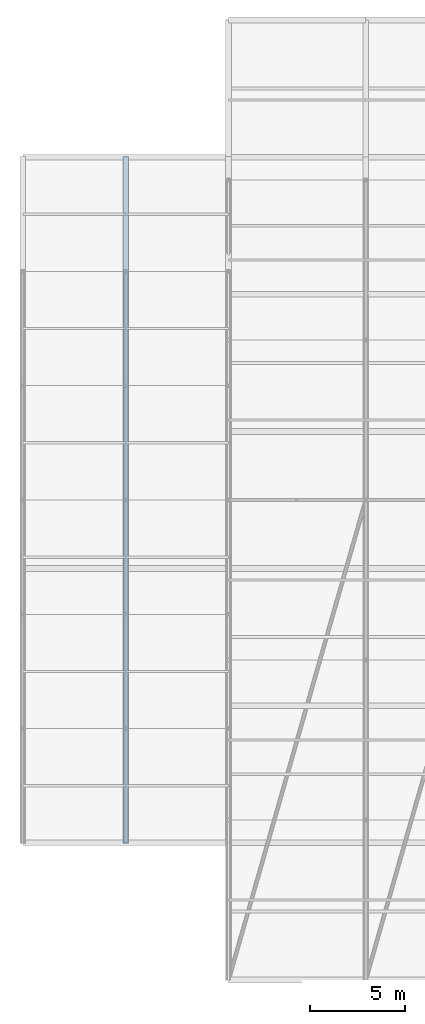
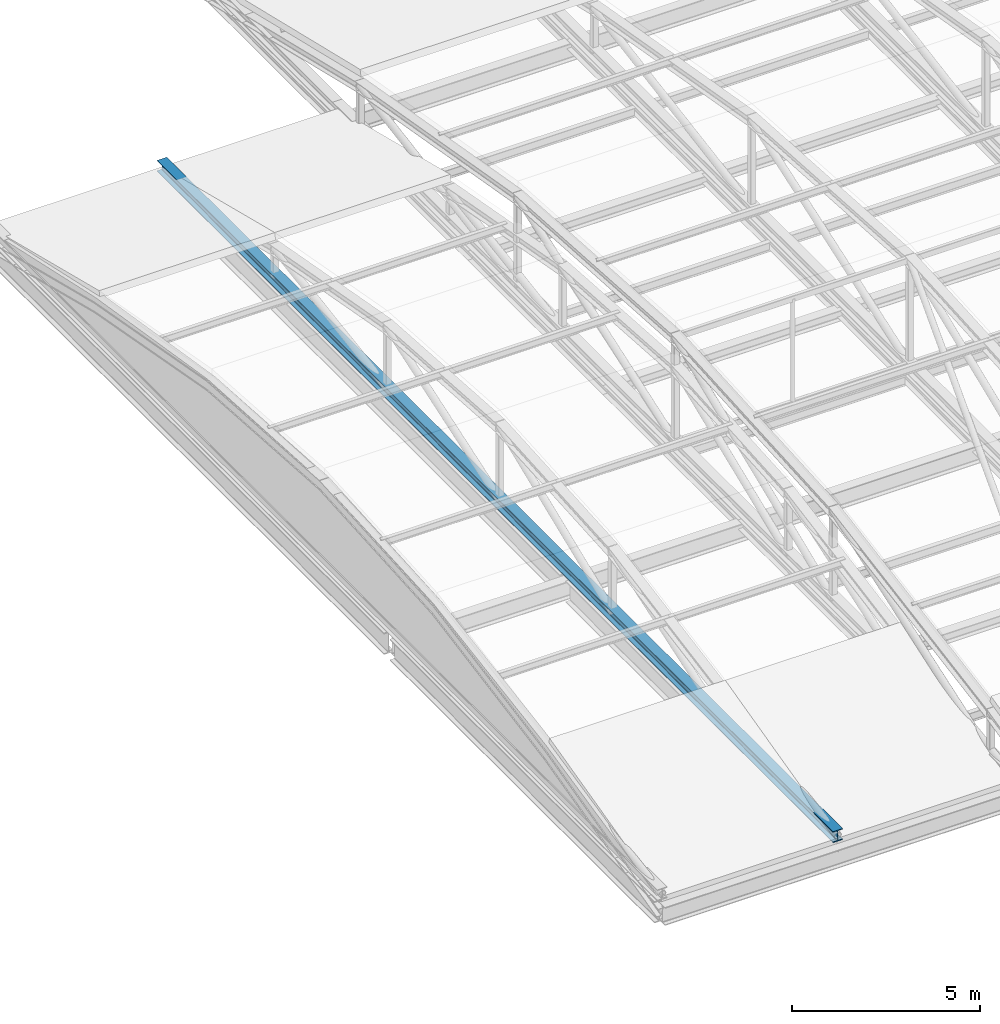
# One storey, part 24 of 76: 1 member.
"""IFC4 building model written with IfcOpenShell, lengths in metres."""

import ifcopenshell
import ifcopenshell.guid

model = None  # the IFC model being written
_history = None  # IfcOwnerHistory: only IFC2X3 demands one
_inside = {}  # id of a spatial element -> (the spatial element, [elements in it])
_under = {}  # id of a project, library or spatial element -> (it, [spatial elements below it])
_declared = {}  # id of a project -> (the project, [libraries it declares])
_typed = {}  # id of a type object -> (the type object, [elements of that type])
_made_of = {}  # id of a material, layer set ... -> (it, [elements and type objects made of it])


def new_model(schema):
    """Start an empty IFC model of exactly this schema.

    Asked for "IFC4X3", IfcOpenShell would pick the latest addendum, in which some entities
    have other attributes; the version numbers below select the first issue.
    IFC2X3 requires an IfcOwnerHistory on every rooted entity: one is made here for all.
    """
    global model, _history
    if schema == "IFC4X3":
        model = ifcopenshell.file(schema_version=(4, 3, 0, 0))
    else:
        model = ifcopenshell.file(schema=schema)
    _inside.clear()
    _under.clear()
    _declared.clear()
    _typed.clear()
    _made_of.clear()
    _history = None
    if model.schema == "IFC2X3":
        org = make("IfcOrganization", Name="unknown")
        user = make(
            "IfcPersonAndOrganization",
            ThePerson=make("IfcPerson", FamilyName="unknown"),
            TheOrganization=org,
        )
        app = make(
            "IfcApplication",
            ApplicationDeveloper=org,
            Version="unknown",
            ApplicationFullName="unknown",
            ApplicationIdentifier="unknown",
        )
        _history = make(
            "IfcOwnerHistory",
            OwningUser=user,
            OwningApplication=app,
            ChangeAction="ADDED",
            CreationDate=0,
        )
    return model


def make(cls, **values):
    """One entity of the class cls with the attributes given. An attribute that is None is left unset."""
    return model.create_entity(
        cls, **{name: value for name, value in values.items() if value is not None}
    )


def rooted(cls, **values):
    """An entity with a GlobalId (a new one), such as an element, a storey or a relation."""
    return make(cls, GlobalId=ifcopenshell.guid.new(), OwnerHistory=_history, **values)


def si_unit(unit_type, name, prefix=None):
    """IfcSIUnit, for example si_unit("LENGTHUNIT", "METRE", prefix="MILLI")."""
    return make("IfcSIUnit", UnitType=unit_type, Prefix=prefix, Name=name)


def assignment(units):
    """IfcUnitAssignment: the units of a project."""
    return None if units is None else make("IfcUnitAssignment", Units=units)


def point(xyz):
    """IfcCartesianPoint."""
    return None if xyz is None else make("IfcCartesianPoint", Coordinates=xyz)


def direction(xyz):
    """IfcDirection."""
    return None if xyz is None else make("IfcDirection", DirectionRatios=xyz)


def frame(location, z_axis=None, x_axis=None):
    """IfcAxis2Placement3D, a coordinate frame: its origin and axes. An axis left out is left unset."""
    return make(
        "IfcAxis2Placement3D",
        Location=point(location),
        Axis=direction(z_axis),
        RefDirection=direction(x_axis),
    )


def frame_2d(location, x_axis=None):
    """IfcAxis2Placement2D, a coordinate frame in the plane: its origin and x axis."""
    return make(
        "IfcAxis2Placement2D", Location=point(location), RefDirection=direction(x_axis)
    )


def origin():
    """The frame at (0, 0, 0) with its axes left unset."""
    return frame((0.0, 0.0, 0.0))


def origin_2d():
    """The frame at (0, 0) in the plane with its x axis left unset."""
    return frame_2d((0.0, 0.0))


def place(relative_to, where):
    """IfcLocalPlacement: puts the frame where relative to a parent placement (None: the world)."""
    return make(
        "IfcLocalPlacement", PlacementRelTo=relative_to, RelativePlacement=where
    )


def context(
    kind, dimensions, precision=None, world=None, true_north=None, identifier=None
):
    """IfcGeometricRepresentationContext, for example the 3D "Model" context."""
    return make(
        "IfcGeometricRepresentationContext",
        ContextIdentifier=identifier,
        ContextType=kind,
        CoordinateSpaceDimension=dimensions,
        Precision=precision,
        WorldCoordinateSystem=world,
        TrueNorth=true_north,
    )


def subcontext(parent, identifier, kind, view, scale=None):
    """IfcGeometricRepresentationSubContext, for example "Body" below "Model"."""
    return make(
        "IfcGeometricRepresentationSubContext",
        ContextIdentifier=identifier,
        ContextType=kind,
        ParentContext=parent,
        TargetScale=scale,
        TargetView=view,
    )


def project(units=None, contexts=None):
    """IfcProject with its units and contexts."""
    return rooted(
        "IfcProject",
        Name="project",
        RepresentationContexts=contexts,
        UnitsInContext=assignment(units),
    )


def spatial(cls, under=None, at=None, **own):
    """A site, building, storey or space (cls), placed at a placement, below another one or the project."""
    s = rooted(cls, ObjectPlacement=at, **own)
    if under is not None:
        _under.setdefault(under.id(), (under, []))[1].append(s)
    return s


def profile(cls, at=None, kind="AREA", **sizes):
    """A parametric profile (cls). Its sizes go by their IFC names, for example OverallWidth=200.0."""
    return make(cls, ProfileType=kind, Position=at, **sizes)


def i_section(**sizes):
    """IfcIShapeProfileDef."""
    return profile("IfcIShapeProfileDef", **sizes)


def extrude(swept, where, along, depth):
    """IfcExtrudedAreaSolid: the profile swept, set in the frame where, extruded along a direction by depth."""
    return make(
        "IfcExtrudedAreaSolid",
        SweptArea=swept,
        Position=where,
        ExtrudedDirection=direction(along),
        Depth=depth,
    )


def shape(context_of_items, identifier, shape_type, items):
    """IfcShapeRepresentation: the items that make up one representation, for example the "Body"."""
    return make(
        "IfcShapeRepresentation",
        ContextOfItems=context_of_items,
        RepresentationIdentifier=identifier,
        RepresentationType=shape_type,
        Items=items,
    )


def material(Name=None, Category=None):
    """IfcMaterial."""
    return make("IfcMaterial", Name=Name, Category=Category)


def material_profile(
    of_material, cross_section, Name=None, Category=None, Priority=None
):
    """IfcMaterialProfile: a cross section and its material."""
    return make(
        "IfcMaterialProfile",
        Name=Name,
        Material=of_material,
        Profile=cross_section,
        Priority=Priority,
        Category=Category,
    )


def profile_set(profiles, Name=None, composite=None):
    """IfcMaterialProfileSet."""
    return make(
        "IfcMaterialProfileSet",
        Name=Name,
        MaterialProfiles=profiles,
        CompositeProfile=composite,
    )


def made_of(thing, what):
    """Note that an element or type object is made of a material, layer set ...; save() writes the relation."""
    if what is not None:
        _made_of.setdefault(what.id(), (what, []))[1].append(thing)
    return thing


def type_object(cls, material=None, **own):
    """A type object (cls), such as IfcWallType, which elements share."""
    return made_of(rooted(cls, **own), material)


def element(
    cls,
    number,
    at=None,
    inside=None,
    cuts=None,
    type_object=None,
    material=None,
    context=None,
    identifier="Body",
    shape_type=None,
    held_by="IfcProductDefinitionShape",
    body=None,
    shapes=None,
    **own,
):
    """One element of the class cls, such as IfcWall. Its Tag is "e" and its number.

    at: its placement. inside: the storey or other place that contains it. cuts: it is an
    opening in that element (IfcRelVoidsElement). A single representation is given by context,
    identifier, shape_type and body (its items); several are given by shapes. held_by: the class
    of the entity that holds the representations. save() writes the other relations.
    """
    e = rooted(cls, Tag="e%d" % number, ObjectPlacement=at, **own)
    if body is not None:
        shapes = [shape(context, identifier, shape_type, body)]
    if shapes is not None:
        e.Representation = make(held_by, Representations=shapes)
    if inside is not None:
        _inside.setdefault(inside.id(), (inside, []))[1].append(e)
    if cuts is not None:
        rooted(
            "IfcRelVoidsElement", RelatingBuildingElement=cuts, RelatedOpeningElement=e
        )
    if type_object is not None:
        _typed.setdefault(type_object.id(), (type_object, []))[1].append(e)
    return made_of(e, material)


def aggregate(whole, parts):
    """IfcRelAggregates: a whole, such as a stair, and the parts it consists of."""
    return rooted("IfcRelAggregates", RelatingObject=whole, RelatedObjects=parts)


def save(model, path):
    """Write the relations noted so far, then the file.

    IfcRelAggregates (storeys below a building ...), IfcRelContainedInSpatialStructure (elements
    in a storey), IfcRelDefinesByType, IfcRelAssociatesMaterial and IfcRelDeclares: one each for
    every whole, place, type object, material and project.
    """
    for whole, parts in _under.values():
        aggregate(whole, parts)
    for where, things in _inside.values():
        rooted(
            "IfcRelContainedInSpatialStructure",
            RelatedElements=things,
            RelatingStructure=where,
        )
    for kind, things in _typed.values():
        rooted("IfcRelDefinesByType", RelatedObjects=things, RelatingType=kind)
    for what, things in _made_of.values():
        rooted("IfcRelAssociatesMaterial", RelatedObjects=things, RelatingMaterial=what)
    for by, libraries in _declared.values():
        rooted("IfcRelDeclares", RelatingContext=by, RelatedDefinitions=libraries)
    model.write(path)


model = new_model("IFC4")

# Units and contexts
model_context = context("Model", 3, precision=1e-05, world=origin(), true_north=direction((0.0, 1.0)))
body_context = subcontext(model_context, "Body", "Model", "MODEL_VIEW")
ifc_project = project(units=[si_unit("LENGTHUNIT", "METRE"), si_unit("AREAUNIT", "SQUARE_METRE"), si_unit("VOLUMEUNIT", "CUBIC_METRE"), si_unit("PLANEANGLEUNIT", "RADIAN"), si_unit("MASSUNIT", "GRAM", prefix="KILO")], contexts=[model_context])

# Site, building, storey
site_placement = place(None, origin())
site = spatial("IfcSite", under=ifc_project, at=site_placement, CompositionType="ELEMENT")
building_placement = place(site_placement, origin())
building = spatial("IfcBuilding", under=site, at=building_placement, Name="Zlatovets Crest Museum", CompositionType="ELEMENT")
storey_placement = place(building_placement, frame((0.0, 0.0, 17.10009765625)))
storey = spatial("IfcBuildingStorey", under=building, at=storey_placement, Name="L04", CompositionType="ELEMENT", Elevation=17.10009765625)

# Member
ifc_material = material(Name="Structural steel S355J2", Category="steel")
ifc_material_profile = material_profile(ifc_material, i_section(OverallWidth=0.300048828125, OverallDepth=0.360107421875, WebThickness=0.012451171875, FlangeThickness=0.0224609375, FilletRadius=0.027099609375, at=origin_2d()), Name="HEB 360")
ifc_profile_set = profile_set([ifc_material_profile], Name="Structural steel S355J2")
member_type = type_object("IfcMemberType", Name="Member_TM-01", PredefinedType="CHORD", material=ifc_profile_set)
member_placement = place(storey_placement, frame((1.800048828125, 57.60009765625, 0.079833984375), z_axis=(0.0, 1.0, 0.0), x_axis=(-1.0, 0.0, 0.0)))
element("IfcMember", 1, at=member_placement, inside=storey, type_object=member_type, Name="V4 Art Nouveau Barrel Vault Tie Chord", PredefinedType="CHORD", context=body_context, shape_type="SweptSolid", body=[
    extrude(i_section(OverallWidth=0.300048828125, OverallDepth=0.360107421875, WebThickness=0.012451171875, FlangeThickness=0.0224609375, FilletRadius=0.027099609375, at=origin_2d()), origin(), (0.0, 0.0, 1.0), 36.0),
])

save(model, "model.ifc")
